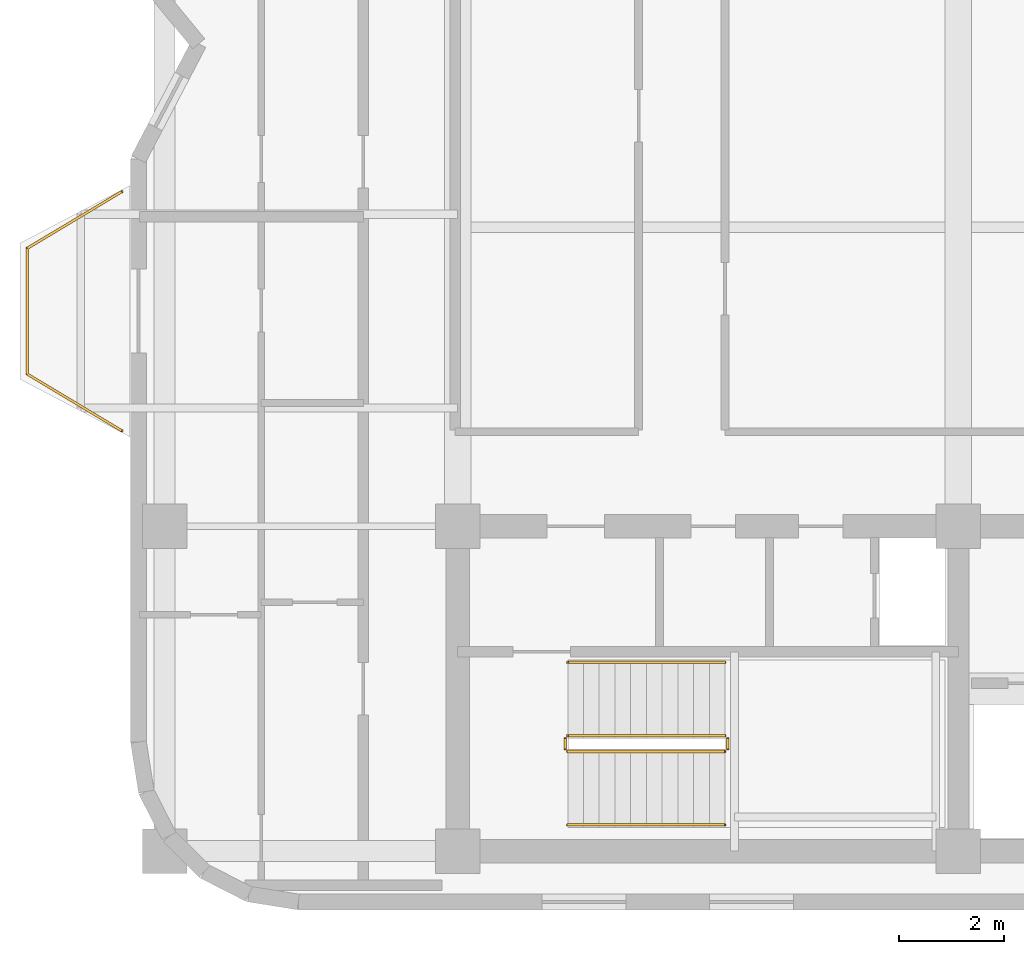
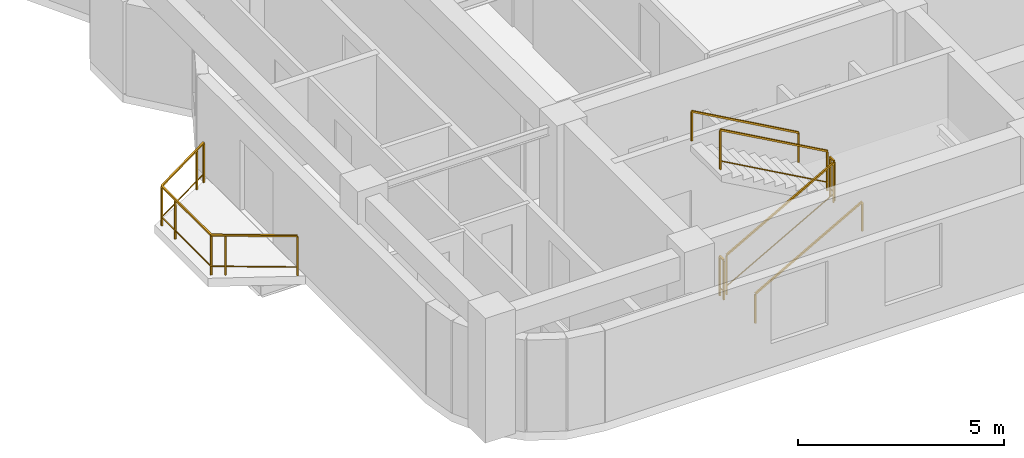
# One storey, part 8 of 9: 7 railings.
"""IFC4 building model written with IfcOpenShell, lengths in metres."""

from ifc_helpers import new_model, si_unit, direction, frame, origin, origin_2d, place, context, subcontext, project, spatial, rectangle, extrude, material, type_object, element, save


model = new_model("IFC4")

# Units and contexts
model_context = context("Model", 3, precision=1e-05, world=origin(), true_north=direction((0.0, 1.0)))
body_context = subcontext(model_context, "Body", "Model", "MODEL_VIEW")
ifc_project = project(units=[si_unit("LENGTHUNIT", "METRE"), si_unit("AREAUNIT", "SQUARE_METRE"), si_unit("VOLUMEUNIT", "CUBIC_METRE"), si_unit("PLANEANGLEUNIT", "RADIAN"), si_unit("MASSUNIT", "GRAM", prefix="KILO")], contexts=[model_context])

# Site, building, storey
site_placement = place(None, origin())
site = spatial("IfcSite", under=ifc_project, at=site_placement, CompositionType="ELEMENT")
building_placement = place(site_placement, origin())
building = spatial("IfcBuilding", under=site, at=building_placement, Name="Svetorya Sky Lyceum", CompositionType="ELEMENT")
storey_placement = place(building_placement, frame((0.0, 0.0, 244.300048828125)))
storey = spatial("IfcBuildingStorey", under=building, at=storey_placement, Name="L61", CompositionType="ELEMENT", Elevation=244.300048828125)

# Railings
ifc_material_1 = material(Name="Laminated safety glass and stainless AISI 316", Category="glass")
railing_type_1 = type_object("IfcRailingType", Name="RL-BAL-1200", PredefinedType="BALUSTRADE", material=ifc_material_1)
railing_1_placement = place(storey_placement, frame((19.18994140625, 18.6201171875, 0.0)))
element("IfcRailing", 1, at=railing_1_placement, inside=storey, type_object=railing_type_1, Name="L61 Balcony Balustrade BAL-W1", PredefinedType="BALUSTRADE", context=body_context, shape_type="SweptSolid", body=[
    extrude(rectangle(XDim=0.048095703125, YDim=0.048095703125, at=origin_2d()), frame((0.0, 0.0, 1.17578125), z_axis=(-0.85753397263, 0.514427337711, 0.0), x_axis=(-0.514427337711, -0.85753397263, 0.0)), (0.0, 0.0, 1.0), 2.09912109375),
    extrude(rectangle(XDim=0.02392578125, YDim=0.02392578125, at=origin_2d()), frame((0.0, 0.0, 0.25), z_axis=(-0.85753397263, 0.514427337711, 0.0), x_axis=(-0.514427337711, -0.85753397263, 0.0)), (0.0, 0.0, 1.0), 2.09912109375),
    extrude(rectangle(XDim=0.048095703125, YDim=0.048095703125, at=origin_2d()), frame((-1.800048828125, 1.079833984375, 1.17578125), z_axis=(0.0, 1.0, 0.0), x_axis=(-1.0, 0.0, 0.0)), (0.0, 0.0, 1.0), 2.400146484375),
    extrude(rectangle(XDim=0.02392578125, YDim=0.02392578125, at=origin_2d()), frame((-1.800048828125, 1.079833984375, 0.25), z_axis=(0.0, 1.0, 0.0), x_axis=(-1.0, 0.0, 0.0)), (0.0, 0.0, 1.0), 2.400146484375),
    extrude(rectangle(XDim=0.048095703125, YDim=0.048095703125, at=origin_2d()), frame((-1.800048828125, 3.47998046875, 1.17578125), z_axis=(0.85753397263, 0.514427337711, 0.0), x_axis=(-0.514427337711, 0.85753397263, 0.0)), (0.0, 0.0, 1.0), 2.09912109375),
    extrude(rectangle(XDim=0.02392578125, YDim=0.02392578125, at=origin_2d()), frame((-1.800048828125, 3.47998046875, 0.25), z_axis=(0.85753397263, 0.514427337711, 0.0), x_axis=(-0.514427337711, 0.85753397263, 0.0)), (0.0, 0.0, 1.0), 2.09912109375),
    extrude(rectangle(XDim=0.0419921875, YDim=0.0419921875, at=origin_2d()), origin(), (0.0, 0.0, 1.0), 1.15185546875),
    extrude(rectangle(XDim=0.0419921875, YDim=0.0419921875, at=origin_2d()), frame((-1.500732421875, 0.900146484375, 0.0)), (0.0, 0.0, 1.0), 1.15185546875),
    extrude(rectangle(XDim=0.0419921875, YDim=0.0419921875, at=origin_2d()), frame((-1.800048828125, 1.079833984375, 0.0)), (0.0, 0.0, 1.0), 1.15185546875),
    extrude(rectangle(XDim=0.0419921875, YDim=0.0419921875, at=origin_2d()), frame((-1.800048828125, 2.829833984375, 0.0)), (0.0, 0.0, 1.0), 1.15185546875),
    extrude(rectangle(XDim=0.0419921875, YDim=0.0419921875, at=origin_2d()), frame((-1.800048828125, 3.47998046875, 0.0)), (0.0, 0.0, 1.0), 1.15185546875),
    extrude(rectangle(XDim=0.0419921875, YDim=0.0419921875, at=origin_2d()), frame((-0.29931640625, 4.380126953125, 0.0)), (0.0, 0.0, 1.0), 1.15185546875),
    extrude(rectangle(XDim=0.0419921875, YDim=0.0419921875, at=origin_2d()), frame((0.0, 4.559814453125, 0.0)), (0.0, 0.0, 1.0), 1.15185546875),
])
ifc_material_2 = material(Name="Painted galvanized stair well guard")
railing_type_2 = type_object("IfcRailingType", Name="RL-STR-GUARD-1200", PredefinedType="GUARDRAIL", material=ifc_material_2)
railing_2_placement = place(storey_placement, frame((27.699951171875, 12.5, 0.168212890625)))
element("IfcRailing", 2, at=railing_2_placement, inside=storey, type_object=railing_type_2, Name="L61 ST-S stair guard 1", PredefinedType="GUARDRAIL", context=body_context, shape_type="SweptSolid", body=[
    extrude(rectangle(XDim=0.048095703125, YDim=0.048095703125, at=origin_2d()), frame((0.0, 0.0, 1.17578125), z_axis=(0.872302573547, 0.0, 0.488966481656), x_axis=(0.0, 1.0, 0.0)), (0.0, 0.0, 1.0), 3.439208984375),
    extrude(rectangle(XDim=0.02392578125, YDim=0.02392578125, at=origin_2d()), frame((0.0, 0.0, 0.25), z_axis=(0.872302573547, 0.0, 0.488966481656), x_axis=(0.0, 1.0, 0.0)), (0.0, 0.0, 1.0), 3.439208984375),
    extrude(rectangle(XDim=0.0419921875, YDim=0.0419921875, at=origin_2d()), origin(), (0.0, 0.0, 1.0), 1.15185546875),
    extrude(rectangle(XDim=0.0419921875, YDim=0.0419921875, at=origin_2d()), frame((3.0, 0.0, 1.681640625)), (0.0, 0.0, 1.0), 1.15185546875),
])
railing_3_placement = place(storey_placement, frame((30.75, 12.550048828125, 1.849853515625)))
element("IfcRailing", 3, at=railing_3_placement, inside=storey, type_object=railing_type_2, Name="L61 ST-S stair guard 2", PredefinedType="GUARDRAIL", context=body_context, shape_type="SweptSolid", body=[
    extrude(rectangle(XDim=0.048095703125, YDim=0.048095703125, at=origin_2d()), frame((0.0, 0.0, 1.17578125), z_axis=(0.0, 1.0, 0.0), x_axis=(-1.0, 0.0, 0.0)), (0.0, 0.0, 1.0), 0.199951171875),
    extrude(rectangle(XDim=0.02392578125, YDim=0.02392578125, at=origin_2d()), frame((0.0, 0.0, 0.25), z_axis=(0.0, 1.0, 0.0), x_axis=(-1.0, 0.0, 0.0)), (0.0, 0.0, 1.0), 0.199951171875),
    extrude(rectangle(XDim=0.0419921875, YDim=0.0419921875, at=origin_2d()), origin(), (0.0, 0.0, 1.0), 1.15185546875),
    extrude(rectangle(XDim=0.0419921875, YDim=0.0419921875, at=origin_2d()), frame((0.0, 0.199951171875, 0.0)), (0.0, 0.0, 1.0), 1.15185546875),
])
railing_4_placement = place(storey_placement, frame((30.699951171875, 12.800048828125, 2.01806640625)))
element("IfcRailing", 4, at=railing_4_placement, inside=storey, type_object=railing_type_2, Name="L61 ST-S stair guard 3", PredefinedType="GUARDRAIL", context=body_context, shape_type="SweptSolid", body=[
    extrude(rectangle(XDim=0.048095703125, YDim=0.048095703125, at=origin_2d()), frame((0.0, 0.0, 1.17578125), z_axis=(-0.872272294576, 0.0, 0.489020494575), x_axis=(0.0, -1.0, 0.0)), (0.0, 0.0, 1.0), 3.439208984375),
    extrude(rectangle(XDim=0.02392578125, YDim=0.02392578125, at=origin_2d()), frame((0.0, 0.0, 0.25), z_axis=(-0.872272294576, 0.0, 0.489020494575), x_axis=(0.0, -1.0, 0.0)), (0.0, 0.0, 1.0), 3.439208984375),
    extrude(rectangle(XDim=0.0419921875, YDim=0.0419921875, at=origin_2d()), origin(), (0.0, 0.0, 1.0), 1.15185546875),
    extrude(rectangle(XDim=0.0419921875, YDim=0.0419921875, at=origin_2d()), frame((-3.0, 0.0, 1.681884765625)), (0.0, 0.0, 1.0), 1.15185546875),
])
railing_5_placement = place(storey_placement, frame((27.64990234375, 12.550048828125, 0.0)))
element("IfcRailing", 5, at=railing_5_placement, inside=storey, type_object=railing_type_2, Name="L61 ST-S stair guard 4", PredefinedType="GUARDRAIL", context=body_context, shape_type="SweptSolid", body=[
    extrude(rectangle(XDim=0.048095703125, YDim=0.048095703125, at=origin_2d()), frame((0.0, 0.0, 1.17578125), z_axis=(0.0, 1.0, 0.0), x_axis=(-1.0, 0.0, 0.0)), (0.0, 0.0, 1.0), 0.199951171875),
    extrude(rectangle(XDim=0.02392578125, YDim=0.02392578125, at=origin_2d()), frame((0.0, 0.0, 0.25), z_axis=(0.0, 1.0, 0.0), x_axis=(-1.0, 0.0, 0.0)), (0.0, 0.0, 1.0), 0.199951171875),
    extrude(rectangle(XDim=0.0419921875, YDim=0.0419921875, at=origin_2d()), origin(), (0.0, 0.0, 1.0), 1.15185546875),
    extrude(rectangle(XDim=0.0419921875, YDim=0.0419921875, at=origin_2d()), frame((0.0, 0.199951171875, 0.0)), (0.0, 0.0, 1.0), 1.15185546875),
])
ifc_material_3 = material(Name="Brushed stainless AISI 304 stair handrail")
railing_type_3 = type_object("IfcRailingType", Name="RL-STR-HAND-920", PredefinedType="HANDRAIL", material=ifc_material_3)
railing_6_placement = place(storey_placement, frame((27.699951171875, 11.10009765625, 0.168212890625)))
element("IfcRailing", 6, at=railing_6_placement, inside=storey, type_object=railing_type_3, Name="L61 ST-S stair handrail 1", PredefinedType="HANDRAIL", context=body_context, shape_type="SweptSolid", body=[
    extrude(rectangle(XDim=0.048095703125, YDim=0.048095703125, at=origin_2d()), frame((0.0, 0.0, 0.8759765625), z_axis=(0.872302573547, 0.0, 0.488966481656), x_axis=(0.0, 1.0, 0.0)), (0.0, 0.0, 1.0), 3.439208984375),
    extrude(rectangle(XDim=0.0419921875, YDim=0.0419921875, at=origin_2d()), origin(), (0.0, 0.0, 1.0), 0.851806640625),
    extrude(rectangle(XDim=0.0419921875, YDim=0.0419921875, at=origin_2d()), frame((3.0, 0.0, 1.681640625)), (0.0, 0.0, 1.0), 0.851806640625),
])
railing_7_placement = place(storey_placement, frame((30.699951171875, 14.199951171875, 2.01806640625)))
element("IfcRailing", 7, at=railing_7_placement, inside=storey, type_object=railing_type_3, Name="L61 ST-S stair handrail 2", PredefinedType="HANDRAIL", context=body_context, shape_type="SweptSolid", body=[
    extrude(rectangle(XDim=0.048095703125, YDim=0.048095703125, at=origin_2d()), frame((0.0, 0.0, 0.8759765625), z_axis=(-0.872272294576, 0.0, 0.489020494575), x_axis=(0.0, -1.0, 0.0)), (0.0, 0.0, 1.0), 3.439208984375),
    extrude(rectangle(XDim=0.0419921875, YDim=0.0419921875, at=origin_2d()), origin(), (0.0, 0.0, 1.0), 0.851806640625),
    extrude(rectangle(XDim=0.0419921875, YDim=0.0419921875, at=origin_2d()), frame((-3.0, 0.0, 1.681884765625)), (0.0, 0.0, 1.0), 0.851806640625),
])

save(model, "model.ifc")
